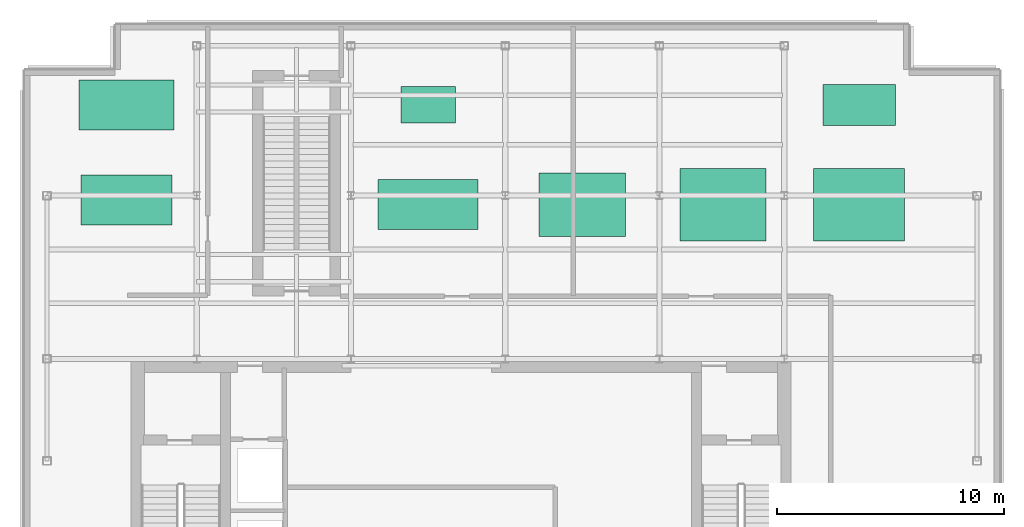
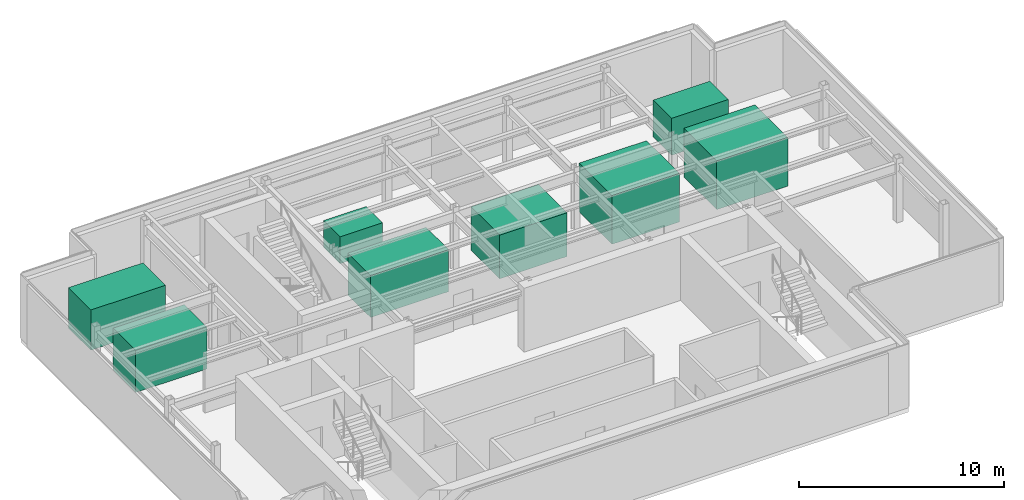
# One storey, part 7 of 7: 2 chillers, 2 cooling towers, 1 boiler, 1 pump, 1 tank, 1 unitary equipment element.
"""IFC4 building model written with IfcOpenShell, lengths in metres."""

from ifc_helpers import new_model, si_unit, derived_unit, direction, frame, origin, origin_2d, place, context, subcontext, project, spatial, rectangle, extrude, source, transform, mapped, material, type_object, element, save


model = new_model("IFC4")

# Units and contexts
model_context = context("Model", 3, precision=1e-05, world=origin(), true_north=direction((0.0, 1.0)))
body_context = subcontext(model_context, "Body", "Model", "MODEL_VIEW")
ifc_project = project(units=[si_unit("LENGTHUNIT", "METRE"), si_unit("AREAUNIT", "SQUARE_METRE"), si_unit("VOLUMEUNIT", "CUBIC_METRE"), si_unit("PLANEANGLEUNIT", "RADIAN"), si_unit("MASSUNIT", "GRAM", prefix="KILO"), derived_unit("THERMALTRANSMITTANCEUNIT", [(si_unit("POWERUNIT", "WATT"), 1), (si_unit("LENGTHUNIT", "METRE"), -2), (si_unit("THERMODYNAMICTEMPERATUREUNIT", "KELVIN"), -1)])], contexts=[model_context])

# Site, building, storey
site_placement = place(None, origin())
site = spatial("IfcSite", under=ifc_project, at=site_placement, CompositionType="ELEMENT")
building_placement = place(site_placement, origin())
building = spatial("IfcBuilding", under=site, at=building_placement, Name="Skarnbrae Concourse Arena and Tower", CompositionType="ELEMENT")
storey_placement = place(building_placement, frame((0.0, 0.0, 296.050048828125)))
storey = spatial("IfcBuildingStorey", under=building, at=storey_placement, Name="L77", CompositionType="ELEMENT", Elevation=296.050048828125)

# Chiller
ifc_material = material(Name="Painted steel mechanical equipment skid", Category="steel")
chiller_type = type_object("IfcChillerType", Name="EQP-CHILLER-CENT", PredefinedType="NOTDEFINED", material=ifc_material)
shared_shape_1 = source(origin(), body_context, "Body", "SweptSolid", [
    extrude(rectangle(XDim=4.0, YDim=2.199951171875, at=origin_2d()), origin(), (0.0, 0.0, 1.0), 2.5),
])
chiller_1_placement = place(storey_placement, frame((4.5, 21.0, 0.0), z_axis=(0.0, 0.0, 1.0), x_axis=(1.0, 0.0, 0.0)))
element("IfcChiller", 1, at=chiller_1_placement, inside=storey, type_object=chiller_type, Name="L77 Crown mechanical plant unit CH1", PredefinedType="NOTDEFINED", context=body_context, shape_type="MappedRepresentation", body=[
    mapped(shared_shape_1, transform((0.0, 0.0, 0.0))),
])

# Cooling towers
cooling_tower_type = type_object("IfcCoolingTowerType", Name="EQP-CTOWER-CELL", PredefinedType="NOTDEFINED", material=ifc_material)
shared_shape_2 = source(origin(), body_context, "Body", "SweptSolid", [
    extrude(rectangle(XDim=3.800048828125, YDim=3.199951171875, at=origin_2d()), origin(), (0.0, 0.0, 1.0), 2.89990234375),
])
cooling_tower_1_placement = place(storey_placement, frame((30.800048828125, 20.800048828125, 0.0), z_axis=(0.0, 0.0, 1.0), x_axis=(1.0, 0.0, 0.0)))
element("IfcCoolingTower", 2, at=cooling_tower_1_placement, inside=storey, type_object=cooling_tower_type, Name="L77 Crown mechanical plant unit CT1", PredefinedType="NOTDEFINED", context=body_context, shape_type="MappedRepresentation", body=[
    mapped(shared_shape_2, transform((0.0, 0.0, 0.0))),
])
shared_shape_3 = source(origin(), body_context, "Body", "SweptSolid", [
    extrude(rectangle(XDim=4.0, YDim=3.199951171875, at=origin_2d()), origin(), (0.0, 0.0, 1.0), 2.89990234375),
])
cooling_tower_2_placement = place(storey_placement, frame((36.800048828125, 20.800048828125, 0.0), z_axis=(0.0, 0.0, 1.0), x_axis=(1.0, 0.0, 0.0)))
element("IfcCoolingTower", 3, at=cooling_tower_2_placement, inside=storey, type_object=cooling_tower_type, Name="L77 Crown mechanical plant unit CT2", PredefinedType="NOTDEFINED", context=body_context, shape_type="MappedRepresentation", body=[
    mapped(shared_shape_3, transform((0.0, 0.0, 0.0))),
])

# Unitary equipment
unitary_equipment_type = type_object("IfcUnitaryEquipmentType", Name="EQP-AHU-CUSTOM", PredefinedType="NOTDEFINED", material=ifc_material)
shared_shape_4 = source(origin(), body_context, "Body", "SweptSolid", [
    extrude(rectangle(XDim=4.199951171875, YDim=2.199951171875, at=origin_2d()), origin(), (0.0, 0.0, 1.0), 2.39990234375),
])
unitary_equipment_placement = place(storey_placement, frame((4.5, 25.199951171875, 0.0), z_axis=(0.0, 0.0, 1.0), x_axis=(1.0, 0.0, 0.0)))
element("IfcUnitaryEquipment", 4, at=unitary_equipment_placement, inside=storey, type_object=unitary_equipment_type, Name="L77 Crown mechanical plant unit AH1", PredefinedType="NOTDEFINED", context=body_context, shape_type="MappedRepresentation", body=[
    mapped(shared_shape_4, transform((0.0, 0.0, 0.0))),
])

# Boiler
boiler_type = type_object("IfcBoilerType", Name="EQP-BOILER-COND", PredefinedType="NOTDEFINED", material=ifc_material)
shared_shape_5 = source(origin(), body_context, "Body", "SweptSolid", [
    extrude(rectangle(XDim=3.199951171875, YDim=1.800048828125, at=origin_2d()), origin(), (0.0, 0.0, 1.0), 2.199951171875),
])
boiler_placement = place(storey_placement, frame((36.800048828125, 25.199951171875, 0.0), z_axis=(0.0, 0.0, 1.0), x_axis=(1.0, 0.0, 0.0)))
element("IfcBoiler", 5, at=boiler_placement, inside=storey, type_object=boiler_type, Name="L77 Crown mechanical plant unit BL1", PredefinedType="NOTDEFINED", context=body_context, shape_type="MappedRepresentation", body=[
    mapped(shared_shape_5, transform((0.0, 0.0, 0.0))),
])

# Chiller
shared_shape_6 = source(origin(), body_context, "Body", "SweptSolid", [
    extrude(rectangle(XDim=4.39990234375, YDim=2.199951171875, at=origin_2d()), origin(), (0.0, 0.0, 1.0), 2.5),
])
chiller_2_placement = place(storey_placement, frame((17.800048828125, 20.800048828125, 0.0), z_axis=(0.0, 0.0, 1.0), x_axis=(1.0, 0.0, 0.0)))
element("IfcChiller", 6, at=chiller_2_placement, inside=storey, type_object=chiller_type, Name="L77 Crown mechanical plant unit CH2", PredefinedType="NOTDEFINED", context=body_context, shape_type="MappedRepresentation", body=[
    mapped(shared_shape_6, transform((0.0, 0.0, 0.0))),
])

# Tank
tank_type = type_object("IfcTankType", Name="EQP-WTANK-DOM", PredefinedType="NOTDEFINED", material=ifc_material)
shared_shape_7 = source(origin(), body_context, "Body", "SweptSolid", [
    extrude(rectangle(XDim=3.800048828125, YDim=2.800048828125, at=origin_2d()), origin(), (0.0, 0.0, 1.0), 2.60009765625),
])
tank_placement = place(storey_placement, frame((24.60009765625, 20.800048828125, 0.0), z_axis=(0.0, 0.0, 1.0), x_axis=(1.0, 0.0, 0.0)))
element("IfcTank", 7, at=tank_placement, inside=storey, type_object=tank_type, Name="L77 Crown mechanical plant unit TK1", PredefinedType="NOTDEFINED", context=body_context, shape_type="MappedRepresentation", body=[
    mapped(shared_shape_7, transform((0.0, 0.0, 0.0))),
])

# Pump
pump_type = type_object("IfcPumpType", Name="EQP-PUMP-SKID", PredefinedType="NOTDEFINED", material=ifc_material)
shared_shape_8 = source(origin(), body_context, "Body", "SweptSolid", [
    extrude(rectangle(XDim=2.39990234375, YDim=1.60009765625, at=origin_2d()), origin(), (0.0, 0.0, 1.0), 1.60009765625),
])
pump_placement = place(storey_placement, frame((17.800048828125, 25.199951171875, 0.0), z_axis=(0.0, 0.0, 1.0), x_axis=(1.0, 0.0, 0.0)))
element("IfcPump", 8, at=pump_placement, inside=storey, type_object=pump_type, Name="L77 Crown mechanical plant unit PM1", PredefinedType="NOTDEFINED", context=body_context, shape_type="MappedRepresentation", body=[
    mapped(shared_shape_8, transform((0.0, 0.0, 0.0))),
])

save(model, "model.ifc")
